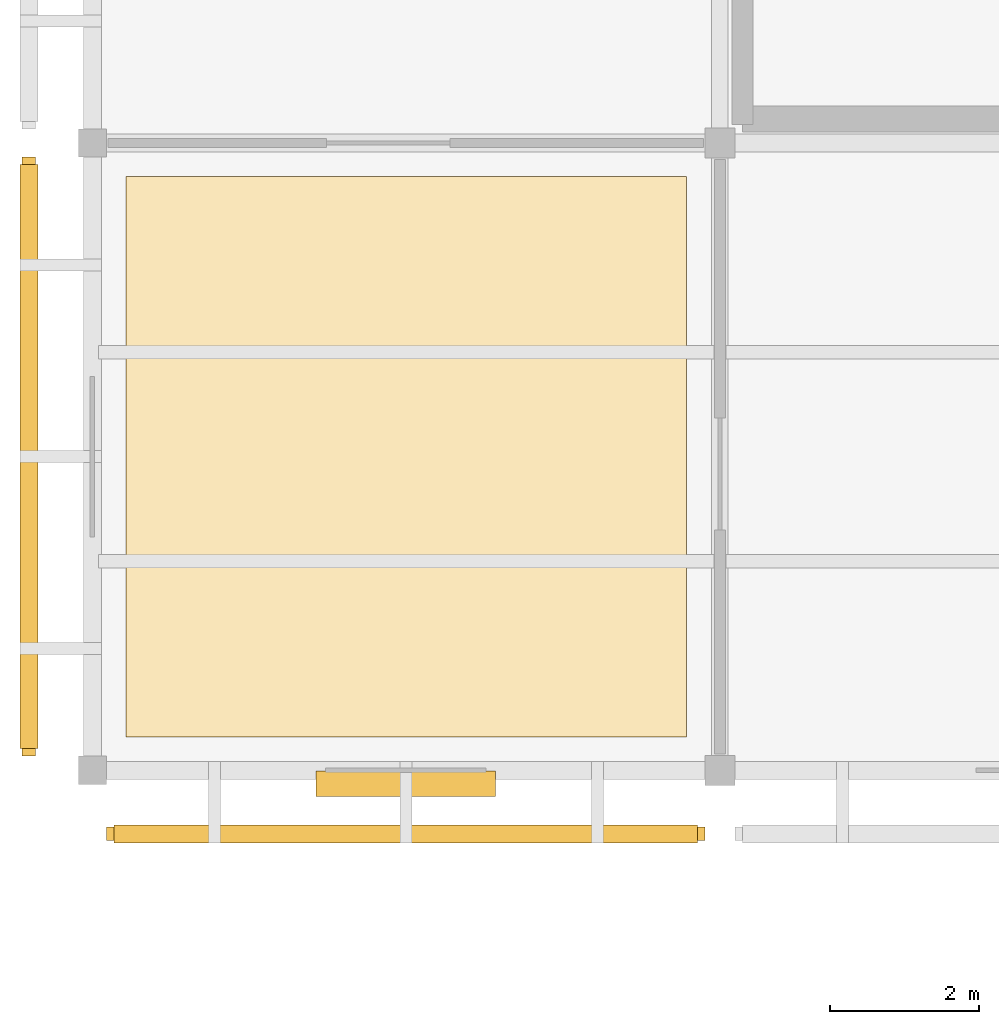
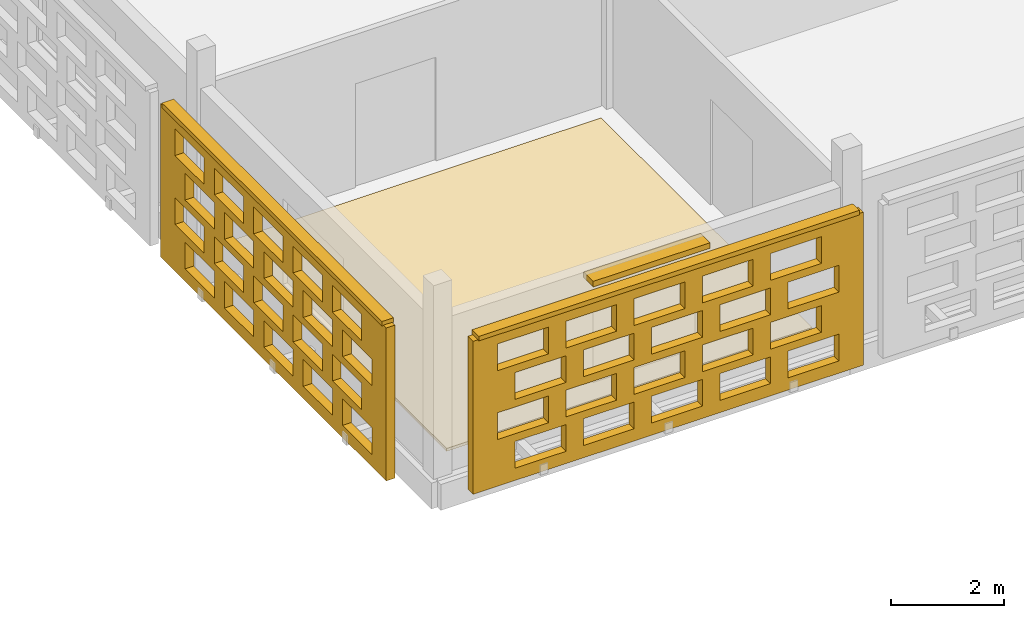
# One storey, part 22 of 31: 3 coverings, 3 shading devices, 40 openings.
"""IFC4 building model written with IfcOpenShell, lengths in metres."""

from ifc_helpers import new_model, si_unit, direction, frame, frame_2d, origin, origin_2d, place, context, subcontext, project, spatial, rectangle, extrude, material, layer, layer_set, type_object, element, save


model = new_model("IFC4")

# Units and contexts
model_context = context("Model", 3, precision=1e-05, world=origin(), true_north=direction((0.0, 1.0)))
body_context = subcontext(model_context, "Body", "Model", "MODEL_VIEW")
ifc_project = project(units=[si_unit("LENGTHUNIT", "METRE"), si_unit("AREAUNIT", "SQUARE_METRE"), si_unit("VOLUMEUNIT", "CUBIC_METRE"), si_unit("PLANEANGLEUNIT", "RADIAN"), si_unit("MASSUNIT", "GRAM", prefix="KILO")], contexts=[model_context])

# Site, building, storey
site_placement = place(None, origin())
site = spatial("IfcSite", under=ifc_project, at=site_placement, CompositionType="ELEMENT")
building_placement = place(site_placement, origin())
building = spatial("IfcBuilding", under=site, at=building_placement, Name="Varnapada Polytechnic", CompositionType="ELEMENT")
storey_placement = place(building_placement, frame((0.0, 0.0, 22.199951171875)))
storey = spatial("IfcBuildingStorey", under=building, at=storey_placement, Name="L05", CompositionType="ELEMENT", Elevation=22.199951171875)

# Covering
ifc_material_1 = material(Name="Anti-Static Raised Laboratory Flooring")
ifc_layer_1 = layer(ifc_material_1, 0.06005859375)
ifc_layer_set_1 = layer_set([ifc_layer_1], Name="Anti-Static Raised Laboratory Flooring")
covering_type_1 = type_object("IfcCoveringType", Name="Floor Finish FLR-02", PredefinedType="FLOORING", material=ifc_layer_set_1)
covering_1_placement = place(storey_placement, frame((4.199951171875, 54.60009765625, 0.0), z_axis=(0.0, 0.0, 1.0), x_axis=(1.0, 0.0, 0.0)))
element("IfcCovering", 1, at=covering_1_placement, inside=storey, type_object=covering_type_1, Name="L05 floor finish panel (1,7)", PredefinedType="FLOORING", context=body_context, shape_type="SweptSolid", body=[
    extrude(rectangle(XDim=7.5, YDim=7.5, at=origin_2d()), origin(), (0.0, 0.0, 1.0), 0.06005859375),
])

# Shading device
ifc_material_2 = material(Name="Anodised aluminium", Category="aluminium")
ifc_layer_2 = layer(ifc_material_2, 0.35009765625)
ifc_layer_set_2 = layer_set([ifc_layer_2], Name="Anodised aluminium")
shading_device_type_1 = type_object("IfcShadingDeviceType", Name="Solar Louvre LVR-01", PredefinedType="JALOUSIE", material=ifc_layer_set_2)
shading_device_1_placement = place(storey_placement, frame((4.195068359375, 50.219970703125, 3.159912109375), z_axis=(0.0, 0.0, 1.0), x_axis=(-1.0, 0.0, 0.0)))
element("IfcShadingDevice", 2, at=shading_device_1_placement, inside=storey, type_object=shading_device_type_1, Name="L05 aluminium sun louvre 1", PredefinedType="JALOUSIE", context=body_context, shape_type="SweptSolid", body=[
    extrude(rectangle(XDim=2.39990234375, YDim=0.340087890625, at=origin_2d()), origin(), (0.0, 0.0, 1.0), 0.1201171875),
])

# Covering, openings
ifc_material_3 = material(Name="Earth-toned architectural terracotta screen block", Category="masonry")
ifc_layer_3 = layer(ifc_material_3, 0.1201171875)
ifc_layer_set_3 = layer_set([ifc_layer_3], Name="Earth-toned architectural terracotta screen block")
covering_type_2 = type_object("IfcCoveringType", Name="Terracotta Screen Cladding CLD-01", PredefinedType="CLADDING", material=ifc_layer_set_3)
covering_2_placement = place(storey_placement, frame((8.199951171875, 49.550048828125, 0.0), z_axis=(0.0, 0.0, 1.0), x_axis=(-1.0, 0.0, 0.0)))
covering_2 = element("IfcCovering", 3, at=covering_2_placement, inside=storey, type_object=covering_type_2, Name="L05 perforated terracotta block screen (1)", PredefinedType="CLADDING", context=body_context, shape_type="SweptSolid", body=[
    extrude(rectangle(XDim=8.010009765625, YDim=0.179931640625, at=frame_2d((4.0048828125, 0.0))), origin(), (0.0, 0.0, 1.0), 3.320068359375),
])
opening_1_placement = place(covering_2_placement, frame((0.5048828125, 0.0, 0.265625)))
element("IfcOpeningElement", 4, at=opening_1_placement, cuts=covering_2, Name="Screen perforation TBS-L05-000.1", PredefinedType="OPENING", context=body_context, shape_type="SweptSolid", body=[
    extrude(rectangle(XDim=1.0400390625, YDim=0.5810546875, at=frame_2d((0.52001953125, 0.29052734375))), frame((0.0, 0.099853515625, 0.0), z_axis=(0.0, -1.0, 0.0), x_axis=(1.0, 0.0, 0.0)), (0.0, 0.0, 1.0), 0.199951171875),
])
opening_2_placement = place(covering_2_placement, frame((1.905029296875, 0.0, 0.265625)))
element("IfcOpeningElement", 5, at=opening_2_placement, cuts=covering_2, Name="Screen perforation TBS-L05-000.2", PredefinedType="OPENING", context=body_context, shape_type="SweptSolid", body=[
    extrude(rectangle(XDim=1.0400390625, YDim=0.5810546875, at=frame_2d((0.52001953125, 0.29052734375))), frame((0.0, 0.099853515625, 0.0), z_axis=(0.0, -1.0, 0.0), x_axis=(1.0, 0.0, 0.0)), (0.0, 0.0, 1.0), 0.199951171875),
])
opening_3_placement = place(covering_2_placement, frame((3.304931640625, 0.0, 0.265625)))
element("IfcOpeningElement", 6, at=opening_3_placement, cuts=covering_2, Name="Screen perforation TBS-L05-000.3", PredefinedType="OPENING", context=body_context, shape_type="SweptSolid", body=[
    extrude(rectangle(XDim=1.0400390625, YDim=0.5810546875, at=frame_2d((0.52001953125, 0.29052734375))), frame((0.0, 0.099853515625, 0.0), z_axis=(0.0, -1.0, 0.0), x_axis=(1.0, 0.0, 0.0)), (0.0, 0.0, 1.0), 0.199951171875),
])
opening_4_placement = place(covering_2_placement, frame((4.705078125, 0.0, 0.265625)))
element("IfcOpeningElement", 7, at=opening_4_placement, cuts=covering_2, Name="Screen perforation TBS-L05-000.4", PredefinedType="OPENING", context=body_context, shape_type="SweptSolid", body=[
    extrude(rectangle(XDim=1.0400390625, YDim=0.5810546875, at=frame_2d((0.52001953125, 0.29052734375))), frame((0.0, 0.099853515625, 0.0), z_axis=(0.0, -1.0, 0.0), x_axis=(1.0, 0.0, 0.0)), (0.0, 0.0, 1.0), 0.199951171875),
])
opening_5_placement = place(covering_2_placement, frame((6.10498046875, 0.0, 0.265625)))
element("IfcOpeningElement", 8, at=opening_5_placement, cuts=covering_2, Name="Screen perforation TBS-L05-000.5", PredefinedType="OPENING", context=body_context, shape_type="SweptSolid", body=[
    extrude(rectangle(XDim=1.0400390625, YDim=0.5810546875, at=frame_2d((0.52001953125, 0.29052734375))), frame((0.0, 0.099853515625, 0.0), z_axis=(0.0, -1.0, 0.0), x_axis=(1.0, 0.0, 0.0)), (0.0, 0.0, 1.0), 0.199951171875),
])
opening_6_placement = place(covering_2_placement, frame((0.864990234375, 0.0, 1.0126953125)))
element("IfcOpeningElement", 9, at=opening_6_placement, cuts=covering_2, Name="Screen perforation TBS-L05-000.6", PredefinedType="OPENING", context=body_context, shape_type="SweptSolid", body=[
    extrude(rectangle(XDim=1.0400390625, YDim=0.5810546875, at=frame_2d((0.52001953125, 0.29052734375))), frame((0.0, 0.099853515625, 0.0), z_axis=(0.0, -1.0, 0.0), x_axis=(1.0, 0.0, 0.0)), (0.0, 0.0, 1.0), 0.199951171875),
])
opening_7_placement = place(covering_2_placement, frame((2.264892578125, 0.0, 1.0126953125)))
element("IfcOpeningElement", 10, at=opening_7_placement, cuts=covering_2, Name="Screen perforation TBS-L05-000.7", PredefinedType="OPENING", context=body_context, shape_type="SweptSolid", body=[
    extrude(rectangle(XDim=1.0400390625, YDim=0.5810546875, at=frame_2d((0.52001953125, 0.29052734375))), frame((0.0, 0.099853515625, 0.0), z_axis=(0.0, -1.0, 0.0), x_axis=(1.0, 0.0, 0.0)), (0.0, 0.0, 1.0), 0.199951171875),
])
opening_8_placement = place(covering_2_placement, frame((3.6650390625, 0.0, 1.0126953125)))
element("IfcOpeningElement", 11, at=opening_8_placement, cuts=covering_2, Name="Screen perforation TBS-L05-000.8", PredefinedType="OPENING", context=body_context, shape_type="SweptSolid", body=[
    extrude(rectangle(XDim=1.0400390625, YDim=0.5810546875, at=frame_2d((0.52001953125, 0.29052734375))), frame((0.0, 0.099853515625, 0.0), z_axis=(0.0, -1.0, 0.0), x_axis=(1.0, 0.0, 0.0)), (0.0, 0.0, 1.0), 0.199951171875),
])
opening_9_placement = place(covering_2_placement, frame((5.06494140625, 0.0, 1.0126953125)))
element("IfcOpeningElement", 12, at=opening_9_placement, cuts=covering_2, Name="Screen perforation TBS-L05-000.9", PredefinedType="OPENING", context=body_context, shape_type="SweptSolid", body=[
    extrude(rectangle(XDim=1.0400390625, YDim=0.5810546875, at=frame_2d((0.52001953125, 0.29052734375))), frame((0.0, 0.099853515625, 0.0), z_axis=(0.0, -1.0, 0.0), x_axis=(1.0, 0.0, 0.0)), (0.0, 0.0, 1.0), 0.199951171875),
])
opening_10_placement = place(covering_2_placement, frame((6.465087890625, 0.0, 1.0126953125)))
element("IfcOpeningElement", 13, at=opening_10_placement, cuts=covering_2, Name="Screen perforation TBS-L05-000.10", PredefinedType="OPENING", context=body_context, shape_type="SweptSolid", body=[
    extrude(rectangle(XDim=1.0400390625, YDim=0.5810546875, at=frame_2d((0.52001953125, 0.29052734375))), frame((0.0, 0.099853515625, 0.0), z_axis=(0.0, -1.0, 0.0), x_axis=(1.0, 0.0, 0.0)), (0.0, 0.0, 1.0), 0.199951171875),
])
opening_11_placement = place(covering_2_placement, frame((0.5048828125, 0.0, 1.759521484375)))
element("IfcOpeningElement", 14, at=opening_11_placement, cuts=covering_2, Name="Screen perforation TBS-L05-000.11", PredefinedType="OPENING", context=body_context, shape_type="SweptSolid", body=[
    extrude(rectangle(XDim=1.0400390625, YDim=0.5810546875, at=frame_2d((0.52001953125, 0.29052734375))), frame((0.0, 0.099853515625, 0.0), z_axis=(0.0, -1.0, 0.0), x_axis=(1.0, 0.0, 0.0)), (0.0, 0.0, 1.0), 0.199951171875),
])
opening_12_placement = place(covering_2_placement, frame((1.905029296875, 0.0, 1.759521484375)))
element("IfcOpeningElement", 15, at=opening_12_placement, cuts=covering_2, Name="Screen perforation TBS-L05-000.12", PredefinedType="OPENING", context=body_context, shape_type="SweptSolid", body=[
    extrude(rectangle(XDim=1.0400390625, YDim=0.5810546875, at=frame_2d((0.52001953125, 0.29052734375))), frame((0.0, 0.099853515625, 0.0), z_axis=(0.0, -1.0, 0.0), x_axis=(1.0, 0.0, 0.0)), (0.0, 0.0, 1.0), 0.199951171875),
])
opening_13_placement = place(covering_2_placement, frame((3.304931640625, 0.0, 1.759521484375)))
element("IfcOpeningElement", 16, at=opening_13_placement, cuts=covering_2, Name="Screen perforation TBS-L05-000.13", PredefinedType="OPENING", context=body_context, shape_type="SweptSolid", body=[
    extrude(rectangle(XDim=1.0400390625, YDim=0.5810546875, at=frame_2d((0.52001953125, 0.29052734375))), frame((0.0, 0.099853515625, 0.0), z_axis=(0.0, -1.0, 0.0), x_axis=(1.0, 0.0, 0.0)), (0.0, 0.0, 1.0), 0.199951171875),
])
opening_14_placement = place(covering_2_placement, frame((4.705078125, 0.0, 1.759521484375)))
element("IfcOpeningElement", 17, at=opening_14_placement, cuts=covering_2, Name="Screen perforation TBS-L05-000.14", PredefinedType="OPENING", context=body_context, shape_type="SweptSolid", body=[
    extrude(rectangle(XDim=1.0400390625, YDim=0.5810546875, at=frame_2d((0.52001953125, 0.29052734375))), frame((0.0, 0.099853515625, 0.0), z_axis=(0.0, -1.0, 0.0), x_axis=(1.0, 0.0, 0.0)), (0.0, 0.0, 1.0), 0.199951171875),
])
opening_15_placement = place(covering_2_placement, frame((6.10498046875, 0.0, 1.759521484375)))
element("IfcOpeningElement", 18, at=opening_15_placement, cuts=covering_2, Name="Screen perforation TBS-L05-000.15", PredefinedType="OPENING", context=body_context, shape_type="SweptSolid", body=[
    extrude(rectangle(XDim=1.0400390625, YDim=0.5810546875, at=frame_2d((0.52001953125, 0.29052734375))), frame((0.0, 0.099853515625, 0.0), z_axis=(0.0, -1.0, 0.0), x_axis=(1.0, 0.0, 0.0)), (0.0, 0.0, 1.0), 0.199951171875),
])
opening_16_placement = place(covering_2_placement, frame((0.864990234375, 0.0, 2.506591796875)))
element("IfcOpeningElement", 19, at=opening_16_placement, cuts=covering_2, Name="Screen perforation TBS-L05-000.16", PredefinedType="OPENING", context=body_context, shape_type="SweptSolid", body=[
    extrude(rectangle(XDim=1.0400390625, YDim=0.5810546875, at=frame_2d((0.52001953125, 0.29052734375))), frame((0.0, 0.099853515625, 0.0), z_axis=(0.0, -1.0, 0.0), x_axis=(1.0, 0.0, 0.0)), (0.0, 0.0, 1.0), 0.199951171875),
])
opening_17_placement = place(covering_2_placement, frame((2.264892578125, 0.0, 2.506591796875)))
element("IfcOpeningElement", 20, at=opening_17_placement, cuts=covering_2, Name="Screen perforation TBS-L05-000.17", PredefinedType="OPENING", context=body_context, shape_type="SweptSolid", body=[
    extrude(rectangle(XDim=1.0400390625, YDim=0.5810546875, at=frame_2d((0.52001953125, 0.29052734375))), frame((0.0, 0.099853515625, 0.0), z_axis=(0.0, -1.0, 0.0), x_axis=(1.0, 0.0, 0.0)), (0.0, 0.0, 1.0), 0.199951171875),
])
opening_18_placement = place(covering_2_placement, frame((3.6650390625, 0.0, 2.506591796875)))
element("IfcOpeningElement", 21, at=opening_18_placement, cuts=covering_2, Name="Screen perforation TBS-L05-000.18", PredefinedType="OPENING", context=body_context, shape_type="SweptSolid", body=[
    extrude(rectangle(XDim=1.0400390625, YDim=0.5810546875, at=frame_2d((0.52001953125, 0.29052734375))), frame((0.0, 0.099853515625, 0.0), z_axis=(0.0, -1.0, 0.0), x_axis=(1.0, 0.0, 0.0)), (0.0, 0.0, 1.0), 0.199951171875),
])
opening_19_placement = place(covering_2_placement, frame((5.06494140625, 0.0, 2.506591796875)))
element("IfcOpeningElement", 22, at=opening_19_placement, cuts=covering_2, Name="Screen perforation TBS-L05-000.19", PredefinedType="OPENING", context=body_context, shape_type="SweptSolid", body=[
    extrude(rectangle(XDim=1.0400390625, YDim=0.5810546875, at=frame_2d((0.52001953125, 0.29052734375))), frame((0.0, 0.099853515625, 0.0), z_axis=(0.0, -1.0, 0.0), x_axis=(1.0, 0.0, 0.0)), (0.0, 0.0, 1.0), 0.199951171875),
])
opening_20_placement = place(covering_2_placement, frame((6.465087890625, 0.0, 2.506591796875)))
element("IfcOpeningElement", 23, at=opening_20_placement, cuts=covering_2, Name="Screen perforation TBS-L05-000.20", PredefinedType="OPENING", context=body_context, shape_type="SweptSolid", body=[
    extrude(rectangle(XDim=1.0400390625, YDim=0.5810546875, at=frame_2d((0.52001953125, 0.29052734375))), frame((0.0, 0.099853515625, 0.0), z_axis=(0.0, -1.0, 0.0), x_axis=(1.0, 0.0, 0.0)), (0.0, 0.0, 1.0), 0.199951171875),
])

covering_3_placement = place(storey_placement, frame((-0.85009765625, 50.590087890625, 0.0), z_axis=(0.0, 0.0, 1.0), x_axis=(0.0, 1.0, 0.0)))
covering_3 = element("IfcCovering", 24, at=covering_3_placement, inside=storey, type_object=covering_type_2, Name="L05 perforated terracotta block screen (2)", PredefinedType="CLADDING", context=body_context, shape_type="SweptSolid", body=[
    extrude(rectangle(XDim=8.02001953125, YDim=0.179931640625, at=frame_2d((4.010009765625, 0.0))), origin(), (0.0, 0.0, 1.0), 3.320068359375),
])
opening_21_placement = place(covering_3_placement, frame((0.510009765625, 0.0, 0.265625)))
element("IfcOpeningElement", 25, at=opening_21_placement, cuts=covering_3, Name="Screen perforation TBS-L05-001.1", PredefinedType="OPENING", context=body_context, shape_type="SweptSolid", body=[
    extrude(rectangle(XDim=1.0400390625, YDim=0.5810546875, at=frame_2d((0.52001953125, 0.29052734375))), frame((0.0, 0.099853515625, 0.0), z_axis=(0.0, -1.0, 0.0), x_axis=(1.0, 0.0, 0.0)), (0.0, 0.0, 1.0), 0.199951171875),
])
opening_22_placement = place(covering_3_placement, frame((1.909912109375, 0.0, 0.265625)))
element("IfcOpeningElement", 26, at=opening_22_placement, cuts=covering_3, Name="Screen perforation TBS-L05-001.2", PredefinedType="OPENING", context=body_context, shape_type="SweptSolid", body=[
    extrude(rectangle(XDim=1.0400390625, YDim=0.5810546875, at=frame_2d((0.52001953125, 0.29052734375))), frame((0.0, 0.099853515625, 0.0), z_axis=(0.0, -1.0, 0.0), x_axis=(1.0, 0.0, 0.0)), (0.0, 0.0, 1.0), 0.199951171875),
])
opening_23_placement = place(covering_3_placement, frame((3.31005859375, 0.0, 0.265625)))
element("IfcOpeningElement", 27, at=opening_23_placement, cuts=covering_3, Name="Screen perforation TBS-L05-001.3", PredefinedType="OPENING", context=body_context, shape_type="SweptSolid", body=[
    extrude(rectangle(XDim=1.0400390625, YDim=0.5810546875, at=frame_2d((0.52001953125, 0.29052734375))), frame((0.0, 0.099853515625, 0.0), z_axis=(0.0, -1.0, 0.0), x_axis=(1.0, 0.0, 0.0)), (0.0, 0.0, 1.0), 0.199951171875),
])
opening_24_placement = place(covering_3_placement, frame((4.7099609375, 0.0, 0.265625)))
element("IfcOpeningElement", 28, at=opening_24_placement, cuts=covering_3, Name="Screen perforation TBS-L05-001.4", PredefinedType="OPENING", context=body_context, shape_type="SweptSolid", body=[
    extrude(rectangle(XDim=1.0400390625, YDim=0.5810546875, at=frame_2d((0.52001953125, 0.29052734375))), frame((0.0, 0.099853515625, 0.0), z_axis=(0.0, -1.0, 0.0), x_axis=(1.0, 0.0, 0.0)), (0.0, 0.0, 1.0), 0.199951171875),
])
opening_25_placement = place(covering_3_placement, frame((6.110107421875, 0.0, 0.265625)))
element("IfcOpeningElement", 29, at=opening_25_placement, cuts=covering_3, Name="Screen perforation TBS-L05-001.5", PredefinedType="OPENING", context=body_context, shape_type="SweptSolid", body=[
    extrude(rectangle(XDim=1.0400390625, YDim=0.5810546875, at=frame_2d((0.52001953125, 0.29052734375))), frame((0.0, 0.099853515625, 0.0), z_axis=(0.0, -1.0, 0.0), x_axis=(1.0, 0.0, 0.0)), (0.0, 0.0, 1.0), 0.199951171875),
])
opening_26_placement = place(covering_3_placement, frame((0.8701171875, 0.0, 1.0126953125)))
element("IfcOpeningElement", 30, at=opening_26_placement, cuts=covering_3, Name="Screen perforation TBS-L05-001.6", PredefinedType="OPENING", context=body_context, shape_type="SweptSolid", body=[
    extrude(rectangle(XDim=1.0400390625, YDim=0.5810546875, at=frame_2d((0.52001953125, 0.29052734375))), frame((0.0, 0.099853515625, 0.0), z_axis=(0.0, -1.0, 0.0), x_axis=(1.0, 0.0, 0.0)), (0.0, 0.0, 1.0), 0.199951171875),
])
opening_27_placement = place(covering_3_placement, frame((2.27001953125, 0.0, 1.0126953125)))
element("IfcOpeningElement", 31, at=opening_27_placement, cuts=covering_3, Name="Screen perforation TBS-L05-001.7", PredefinedType="OPENING", context=body_context, shape_type="SweptSolid", body=[
    extrude(rectangle(XDim=1.0400390625, YDim=0.5810546875, at=frame_2d((0.52001953125, 0.29052734375))), frame((0.0, 0.099853515625, 0.0), z_axis=(0.0, -1.0, 0.0), x_axis=(1.0, 0.0, 0.0)), (0.0, 0.0, 1.0), 0.199951171875),
])
opening_28_placement = place(covering_3_placement, frame((3.669921875, 0.0, 1.0126953125)))
element("IfcOpeningElement", 32, at=opening_28_placement, cuts=covering_3, Name="Screen perforation TBS-L05-001.8", PredefinedType="OPENING", context=body_context, shape_type="SweptSolid", body=[
    extrude(rectangle(XDim=1.0400390625, YDim=0.5810546875, at=frame_2d((0.52001953125, 0.29052734375))), frame((0.0, 0.099853515625, 0.0), z_axis=(0.0, -1.0, 0.0), x_axis=(1.0, 0.0, 0.0)), (0.0, 0.0, 1.0), 0.199951171875),
])
opening_29_placement = place(covering_3_placement, frame((5.070068359375, 0.0, 1.0126953125)))
element("IfcOpeningElement", 33, at=opening_29_placement, cuts=covering_3, Name="Screen perforation TBS-L05-001.9", PredefinedType="OPENING", context=body_context, shape_type="SweptSolid", body=[
    extrude(rectangle(XDim=1.0400390625, YDim=0.5810546875, at=frame_2d((0.52001953125, 0.29052734375))), frame((0.0, 0.099853515625, 0.0), z_axis=(0.0, -1.0, 0.0), x_axis=(1.0, 0.0, 0.0)), (0.0, 0.0, 1.0), 0.199951171875),
])
opening_30_placement = place(covering_3_placement, frame((6.469970703125, 0.0, 1.0126953125)))
element("IfcOpeningElement", 34, at=opening_30_placement, cuts=covering_3, Name="Screen perforation TBS-L05-001.10", PredefinedType="OPENING", context=body_context, shape_type="SweptSolid", body=[
    extrude(rectangle(XDim=1.0400390625, YDim=0.5810546875, at=frame_2d((0.52001953125, 0.29052734375))), frame((0.0, 0.099853515625, 0.0), z_axis=(0.0, -1.0, 0.0), x_axis=(1.0, 0.0, 0.0)), (0.0, 0.0, 1.0), 0.199951171875),
])
opening_31_placement = place(covering_3_placement, frame((0.510009765625, 0.0, 1.759521484375)))
element("IfcOpeningElement", 35, at=opening_31_placement, cuts=covering_3, Name="Screen perforation TBS-L05-001.11", PredefinedType="OPENING", context=body_context, shape_type="SweptSolid", body=[
    extrude(rectangle(XDim=1.0400390625, YDim=0.5810546875, at=frame_2d((0.52001953125, 0.29052734375))), frame((0.0, 0.099853515625, 0.0), z_axis=(0.0, -1.0, 0.0), x_axis=(1.0, 0.0, 0.0)), (0.0, 0.0, 1.0), 0.199951171875),
])
opening_32_placement = place(covering_3_placement, frame((1.909912109375, 0.0, 1.759521484375)))
element("IfcOpeningElement", 36, at=opening_32_placement, cuts=covering_3, Name="Screen perforation TBS-L05-001.12", PredefinedType="OPENING", context=body_context, shape_type="SweptSolid", body=[
    extrude(rectangle(XDim=1.0400390625, YDim=0.5810546875, at=frame_2d((0.52001953125, 0.29052734375))), frame((0.0, 0.099853515625, 0.0), z_axis=(0.0, -1.0, 0.0), x_axis=(1.0, 0.0, 0.0)), (0.0, 0.0, 1.0), 0.199951171875),
])
opening_33_placement = place(covering_3_placement, frame((3.31005859375, 0.0, 1.759521484375)))
element("IfcOpeningElement", 37, at=opening_33_placement, cuts=covering_3, Name="Screen perforation TBS-L05-001.13", PredefinedType="OPENING", context=body_context, shape_type="SweptSolid", body=[
    extrude(rectangle(XDim=1.0400390625, YDim=0.5810546875, at=frame_2d((0.52001953125, 0.29052734375))), frame((0.0, 0.099853515625, 0.0), z_axis=(0.0, -1.0, 0.0), x_axis=(1.0, 0.0, 0.0)), (0.0, 0.0, 1.0), 0.199951171875),
])
opening_34_placement = place(covering_3_placement, frame((4.7099609375, 0.0, 1.759521484375)))
element("IfcOpeningElement", 38, at=opening_34_placement, cuts=covering_3, Name="Screen perforation TBS-L05-001.14", PredefinedType="OPENING", context=body_context, shape_type="SweptSolid", body=[
    extrude(rectangle(XDim=1.0400390625, YDim=0.5810546875, at=frame_2d((0.52001953125, 0.29052734375))), frame((0.0, 0.099853515625, 0.0), z_axis=(0.0, -1.0, 0.0), x_axis=(1.0, 0.0, 0.0)), (0.0, 0.0, 1.0), 0.199951171875),
])
opening_35_placement = place(covering_3_placement, frame((6.110107421875, 0.0, 1.759521484375)))
element("IfcOpeningElement", 39, at=opening_35_placement, cuts=covering_3, Name="Screen perforation TBS-L05-001.15", PredefinedType="OPENING", context=body_context, shape_type="SweptSolid", body=[
    extrude(rectangle(XDim=1.0400390625, YDim=0.5810546875, at=frame_2d((0.52001953125, 0.29052734375))), frame((0.0, 0.099853515625, 0.0), z_axis=(0.0, -1.0, 0.0), x_axis=(1.0, 0.0, 0.0)), (0.0, 0.0, 1.0), 0.199951171875),
])
opening_36_placement = place(covering_3_placement, frame((0.8701171875, 0.0, 2.506591796875)))
element("IfcOpeningElement", 40, at=opening_36_placement, cuts=covering_3, Name="Screen perforation TBS-L05-001.16", PredefinedType="OPENING", context=body_context, shape_type="SweptSolid", body=[
    extrude(rectangle(XDim=1.0400390625, YDim=0.5810546875, at=frame_2d((0.52001953125, 0.29052734375))), frame((0.0, 0.099853515625, 0.0), z_axis=(0.0, -1.0, 0.0), x_axis=(1.0, 0.0, 0.0)), (0.0, 0.0, 1.0), 0.199951171875),
])
opening_37_placement = place(covering_3_placement, frame((2.27001953125, 0.0, 2.506591796875)))
element("IfcOpeningElement", 41, at=opening_37_placement, cuts=covering_3, Name="Screen perforation TBS-L05-001.17", PredefinedType="OPENING", context=body_context, shape_type="SweptSolid", body=[
    extrude(rectangle(XDim=1.0400390625, YDim=0.5810546875, at=frame_2d((0.52001953125, 0.29052734375))), frame((0.0, 0.099853515625, 0.0), z_axis=(0.0, -1.0, 0.0), x_axis=(1.0, 0.0, 0.0)), (0.0, 0.0, 1.0), 0.199951171875),
])
opening_38_placement = place(covering_3_placement, frame((3.669921875, 0.0, 2.506591796875)))
element("IfcOpeningElement", 42, at=opening_38_placement, cuts=covering_3, Name="Screen perforation TBS-L05-001.18", PredefinedType="OPENING", context=body_context, shape_type="SweptSolid", body=[
    extrude(rectangle(XDim=1.0400390625, YDim=0.5810546875, at=frame_2d((0.52001953125, 0.29052734375))), frame((0.0, 0.099853515625, 0.0), z_axis=(0.0, -1.0, 0.0), x_axis=(1.0, 0.0, 0.0)), (0.0, 0.0, 1.0), 0.199951171875),
])
opening_39_placement = place(covering_3_placement, frame((5.070068359375, 0.0, 2.506591796875)))
element("IfcOpeningElement", 43, at=opening_39_placement, cuts=covering_3, Name="Screen perforation TBS-L05-001.19", PredefinedType="OPENING", context=body_context, shape_type="SweptSolid", body=[
    extrude(rectangle(XDim=1.0400390625, YDim=0.5810546875, at=frame_2d((0.52001953125, 0.29052734375))), frame((0.0, 0.099853515625, 0.0), z_axis=(0.0, -1.0, 0.0), x_axis=(1.0, 0.0, 0.0)), (0.0, 0.0, 1.0), 0.199951171875),
])
opening_40_placement = place(covering_3_placement, frame((6.469970703125, 0.0, 2.506591796875)))
element("IfcOpeningElement", 44, at=opening_40_placement, cuts=covering_3, Name="Screen perforation TBS-L05-001.20", PredefinedType="OPENING", context=body_context, shape_type="SweptSolid", body=[
    extrude(rectangle(XDim=1.0400390625, YDim=0.5810546875, at=frame_2d((0.52001953125, 0.29052734375))), frame((0.0, 0.099853515625, 0.0), z_axis=(0.0, -1.0, 0.0), x_axis=(1.0, 0.0, 0.0)), (0.0, 0.0, 1.0), 0.199951171875),
])

# Shading devices
ifc_layer_4 = layer(ifc_material_3, 0.179931640625)
ifc_layer_set_4 = layer_set([ifc_layer_4], Name="Earth-toned architectural terracotta screen block")
shading_device_type_2 = type_object("IfcShadingDeviceType", Name="Terracotta Screen SCR-01", PredefinedType="USERDEFINED", material=ifc_layer_set_4)
shading_device_2_placement = place(storey_placement, frame((4.195068359375, 49.550048828125, 3.31005859375), z_axis=(0.0, 0.0, 1.0), x_axis=(-1.0, 0.0, 0.0)))
element("IfcShadingDevice", 45, at=shading_device_2_placement, inside=storey, type_object=shading_device_type_2, Name="L05 perforated terracotta screen hood 476", ObjectType="SCREEN", PredefinedType="USERDEFINED", context=body_context, shape_type="SweptSolid", body=[
    extrude(rectangle(XDim=7.81005859375, YDim=0.239990234375, at=origin_2d()), origin(), (0.0, 0.0, 1.0), 0.10009765625),
])
shading_device_3_placement = place(storey_placement, frame((-0.85009765625, 54.60009765625, 3.31005859375), z_axis=(0.0, 0.0, 1.0), x_axis=(0.0, 1.0, 0.0)))
element("IfcShadingDevice", 46, at=shading_device_3_placement, inside=storey, type_object=shading_device_type_2, Name="L05 perforated terracotta screen hood 477", ObjectType="SCREEN", PredefinedType="USERDEFINED", context=body_context, shape_type="SweptSolid", body=[
    extrude(rectangle(XDim=7.820068359375, YDim=0.239990234375, at=origin_2d()), origin(), (0.0, 0.0, 1.0), 0.10009765625),
])

save(model, "model.ifc")
